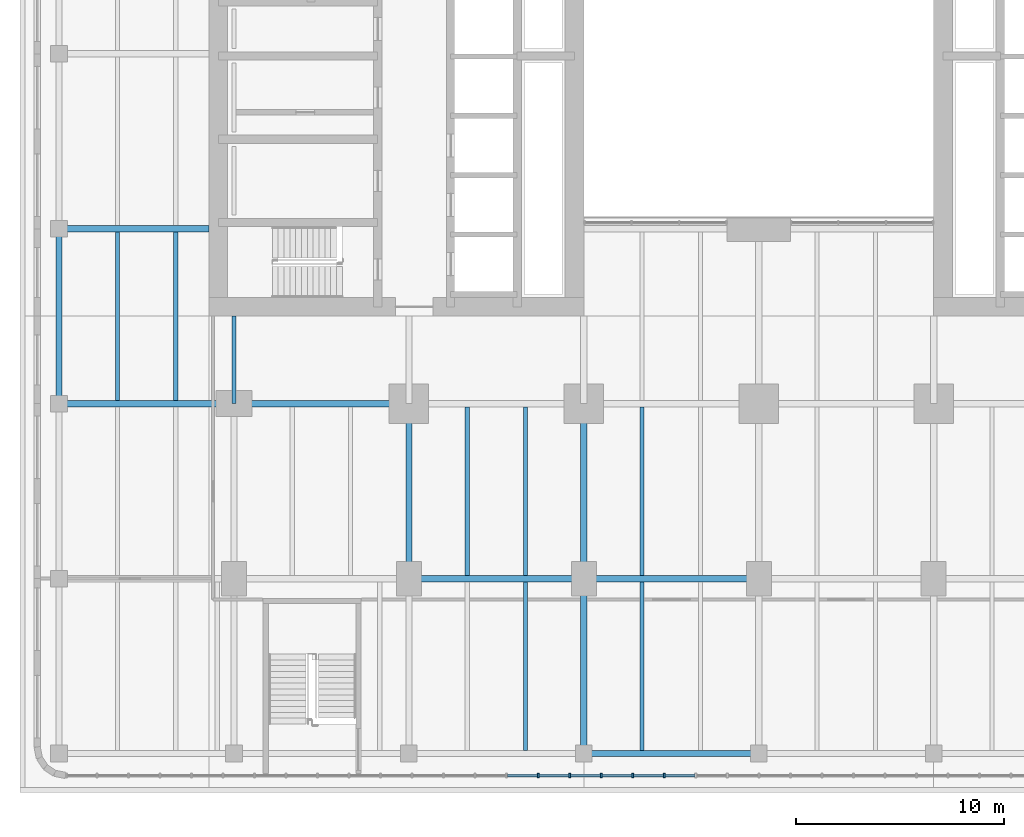
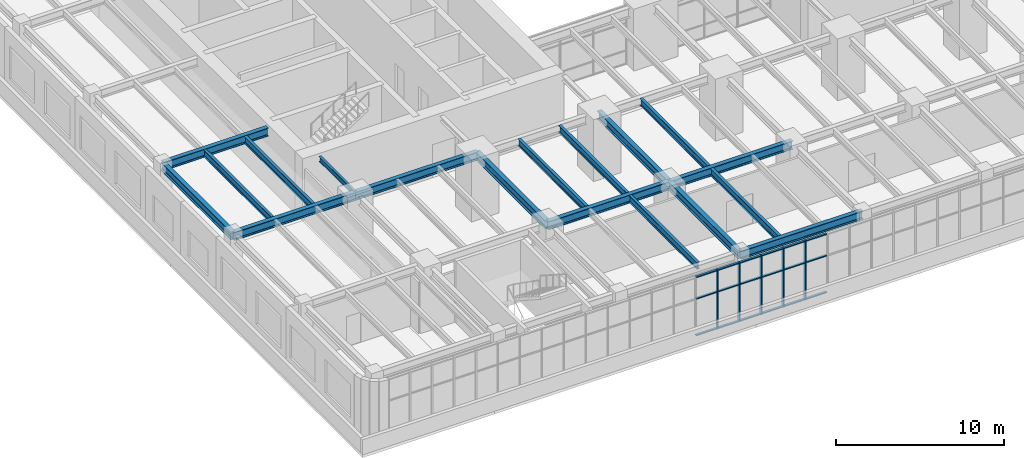
# One storey, part 3 of 30: 23 members, 18 beams, 1 element without a shape of its own.
"""IFC4 building model written with IfcOpenShell, lengths in metres."""

from ifc_helpers import new_model, si_unit, direction, frame, origin, origin_2d, place, context, subcontext, project, spatial, rectangle, i_section, extrude, material, material_profile, profile_set, type_object, element, aggregate, save


model = new_model("IFC4")

# Units and contexts
model_context = context("Model", 3, precision=1e-05, world=origin(), true_north=direction((0.0, 1.0)))
body_context = subcontext(model_context, "Body", "Model", "MODEL_VIEW")
ifc_project = project(units=[si_unit("LENGTHUNIT", "METRE"), si_unit("AREAUNIT", "SQUARE_METRE"), si_unit("VOLUMEUNIT", "CUBIC_METRE"), si_unit("PLANEANGLEUNIT", "RADIAN"), si_unit("MASSUNIT", "GRAM", prefix="KILO")], contexts=[model_context])

# Site, building, storey
site_placement = place(None, origin())
site = spatial("IfcSite", under=ifc_project, at=site_placement, CompositionType="ELEMENT")
building_placement = place(site_placement, origin())
building = spatial("IfcBuilding", under=site, at=building_placement, Name="Claustro Exchange Tower", CompositionType="ELEMENT")
storey_placement = place(building_placement, frame((0.0, 0.0, 5.39990234375)))
storey = spatial("IfcBuildingStorey", under=building, at=storey_placement, Name="L01", CompositionType="ELEMENT", Elevation=5.39990234375)

# Beams
ifc_material_1 = material(Name="Steel S355", Category="steel")
ifc_material_profile_1 = material_profile(ifc_material_1, i_section(OverallWidth=0.300048828125, OverallDepth=0.60009765625, WebThickness=0.015380859375, FlangeThickness=0.030029296875, FilletRadius=0.027099609375, at=origin_2d()), Name="HE 600 B")
ifc_profile_set_1 = profile_set([ifc_material_profile_1], Name="Steel S355")
beam_type_1 = type_object("IfcBeamType", Name="B1 HE 600 B floor girder", PredefinedType="BEAM", material=ifc_profile_set_1)
beam_1_placement = place(storey_placement, frame((-8.39990234375, 8.39990234375, 4.0), z_axis=(0.0, 1.0, 0.0), x_axis=(-1.0, 0.0, 0.0)))
element("IfcBeam", 1, at=beam_1_placement, inside=storey, type_object=beam_type_1, Name="Beam B1 L02", PredefinedType="BEAM", context=body_context, shape_type="SweptSolid", body=[
    extrude(i_section(OverallWidth=0.300048828125, OverallDepth=0.60009765625, WebThickness=0.015380859375, FlangeThickness=0.030029296875, FilletRadius=0.027099609375, at=origin_2d()), origin(), (0.0, 0.0, 1.0), 8.400146484375),
])
for number, where, z_axis, x_axis, name in (
    (2, (8.39990234375, 0.0, 4.0), (0.0, 1.0, 0.0), (-1.0, 0.0, 0.0), "Beam B1 L02"),
    (3, (16.800048828125, -8.39990234375, 4.0), (0.0, 1.0, 0.0), (-1.0, 0.0, 0.0), "Beam B1 L02"),
    (4, (16.800048828125, 0.0, 4.0), (0.0, 1.0, 0.0), (-1.0, 0.0, 0.0), "Beam B1 L02"),
    (5, (16.800048828125, -8.39990234375, 4.0), (1.0, 0.0, 0.0), (0.0, 1.0, 0.0), "Beam B1 L02"),
):
    element("IfcBeam", number, at=place(storey_placement, frame(where, z_axis=z_axis, x_axis=x_axis)), inside=storey, type_object=beam_type_1, Name=name, PredefinedType="BEAM", context=body_context, shape_type="SweptSolid", body=[
        extrude(i_section(OverallWidth=0.300048828125, OverallDepth=0.60009765625, WebThickness=0.015380859375, FlangeThickness=0.030029296875, FilletRadius=0.027099609375, at=origin_2d()), origin(), (0.0, 0.0, 1.0), 8.39990234375),
    ])
beam_2_placement = place(storey_placement, frame((8.39990234375, 0.0, 4.0), z_axis=(1.0, 0.0, 0.0), x_axis=(0.0, 1.0, 0.0)))
element("IfcBeam", 6, at=beam_2_placement, inside=storey, type_object=beam_type_1, Name="Beam B1 L02", PredefinedType="BEAM", context=body_context, shape_type="SweptSolid", body=[
    extrude(i_section(OverallWidth=0.300048828125, OverallDepth=0.60009765625, WebThickness=0.015380859375, FlangeThickness=0.030029296875, FilletRadius=0.027099609375, at=origin_2d()), origin(), (0.0, 0.0, 1.0), 8.400146484375),
])
for number, where, z_axis, x_axis, name in (
    (7, (16.800048828125, 0.0, 4.0), (1.0, 0.0, 0.0), (0.0, 1.0, 0.0), "Beam B1 L02"),
    (8, (-8.39990234375, 8.39990234375, 4.0), (1.0, 0.0, 0.0), (0.0, 1.0, 0.0), "Beam B1 L02"),
    (9, (0.0, 8.39990234375, 4.0), (1.0, 0.0, 0.0), (0.0, 1.0, 0.0), "Beam B1 L02"),
):
    element("IfcBeam", number, at=place(storey_placement, frame(where, z_axis=z_axis, x_axis=x_axis)), inside=storey, type_object=beam_type_1, Name=name, PredefinedType="BEAM", context=body_context, shape_type="SweptSolid", body=[
        extrude(i_section(OverallWidth=0.300048828125, OverallDepth=0.60009765625, WebThickness=0.015380859375, FlangeThickness=0.030029296875, FilletRadius=0.027099609375, at=origin_2d()), origin(), (0.0, 0.0, 1.0), 8.39990234375),
    ])
beam_3_placement = place(storey_placement, frame((-8.39990234375, 16.800048828125, 4.0), z_axis=(1.0, 0.0, 0.0), x_axis=(0.0, 1.0, 0.0)))
element("IfcBeam", 10, at=beam_3_placement, inside=storey, type_object=beam_type_1, Name="Beam B1 L02", PredefinedType="BEAM", context=body_context, shape_type="SweptSolid", body=[
    extrude(i_section(OverallWidth=0.300048828125, OverallDepth=0.60009765625, WebThickness=0.015380859375, FlangeThickness=0.030029296875, FilletRadius=0.027099609375, at=origin_2d()), origin(), (0.0, 0.0, 1.0), 7.199951171875),
])
ifc_material_2 = material(Name="Steel S355", Category="steel")
ifc_material_profile_2 = material_profile(ifc_material_2, i_section(OverallWidth=0.169921875, OverallDepth=0.360107421875, WebThickness=0.008056640625, FlangeThickness=0.0126953125, FilletRadius=0.01806640625, at=origin_2d()), Name="IPE 360")
ifc_profile_set_2 = profile_set([ifc_material_profile_2], Name="Steel S355")
beam_type_2 = type_object("IfcBeamType", Name="B16 IPE 360 short-span beam", PredefinedType="BEAM", material=ifc_profile_set_2)
beam_4_placement = place(storey_placement, frame((0.0, 8.39990234375, 4.1201171875), z_axis=(0.0, 1.0, 0.0), x_axis=(-1.0, 0.0, 0.0)))
element("IfcBeam", 11, at=beam_4_placement, inside=storey, type_object=beam_type_2, Name="Beam B16 L02", PredefinedType="BEAM", context=body_context, shape_type="SweptSolid", body=[
    extrude(i_section(OverallWidth=0.169921875, OverallDepth=0.360107421875, WebThickness=0.008056640625, FlangeThickness=0.0126953125, FilletRadius=0.01806640625, at=origin_2d()), origin(), (0.0, 0.0, 1.0), 4.2001953125),
])
ifc_material_3 = material(Name="Steel S355", Category="steel")
ifc_material_profile_3 = material_profile(ifc_material_3, i_section(OverallWidth=0.199951171875, OverallDepth=0.5, WebThickness=0.01025390625, FlangeThickness=0.01611328125, FilletRadius=0.02099609375, at=origin_2d()), Name="IPE 500")
ifc_profile_set_3 = profile_set([ifc_material_profile_3], Name="Steel S355")
beam_type_3 = type_object("IfcBeamType", Name="B2 IPE 500 secondary beam", PredefinedType="BEAM", material=ifc_profile_set_3)
for number, where, z_axis, x_axis, name in (
    (12, (-5.60009765625, 8.550048828125, 4.050048828125), (0.0, 1.0, 0.0), (-1.0, 0.0, 0.0), "Beam B2 L02"),
    (13, (-2.800048828125, 8.550048828125, 4.050048828125), (0.0, 1.0, 0.0), (-1.0, 0.0, 0.0), "Beam B2 L02"),
):
    element("IfcBeam", number, at=place(storey_placement, frame(where, z_axis=z_axis, x_axis=x_axis)), inside=storey, type_object=beam_type_3, Name=name, PredefinedType="BEAM", context=body_context, shape_type="SweptSolid", body=[
        extrude(i_section(OverallWidth=0.199951171875, OverallDepth=0.5, WebThickness=0.01025390625, FlangeThickness=0.01611328125, FilletRadius=0.02099609375, at=origin_2d()), origin(), (0.0, 0.0, 1.0), 8.099853515625),
    ])
for number, where, z_axis, x_axis, name in (
    (14, (14.0, -8.25, 4.050048828125), (0.0, 1.0, 0.0), (-1.0, 0.0, 0.0), "Beam B2 L02"),
    (15, (11.199951171875, 0.14990234375, 4.050048828125), (0.0, 1.0, 0.0), (-1.0, 0.0, 0.0), "Beam B2 L02"),
    (16, (14.0, 0.14990234375, 4.050048828125), (0.0, 1.0, 0.0), (-1.0, 0.0, 0.0), "Beam B2 L02"),
    (17, (19.60009765625, -8.25, 4.050048828125), (0.0, 1.0, 0.0), (-1.0, 0.0, 0.0), "Beam B2 L02"),
    (18, (19.60009765625, 0.14990234375, 4.050048828125), (0.0, 1.0, 0.0), (-1.0, 0.0, 0.0), "Beam B2 L02"),
):
    element("IfcBeam", number, at=place(storey_placement, frame(where, z_axis=z_axis, x_axis=x_axis)), inside=storey, type_object=beam_type_3, Name=name, PredefinedType="BEAM", context=body_context, shape_type="SweptSolid", body=[
        extrude(i_section(OverallWidth=0.199951171875, OverallDepth=0.5, WebThickness=0.01025390625, FlangeThickness=0.01611328125, FilletRadius=0.02099609375, at=origin_2d()), origin(), (0.0, 0.0, 1.0), 8.10009765625),
    ])

# Curtain wall, members
ifc_material_4 = material(Name="Aluminium frame, clear double glazing", Category="aluminium")
curtain_wall_type = type_object("IfcCurtainWallType", Name="CW1 storefront curtain wall", PredefinedType="USERDEFINED", material=ifc_material_4)
curtain_wall_placement = place(storey_placement, origin())
curtain_wall = element("IfcCurtainWall", 19, at=curtain_wall_placement, inside=storey, type_object=curtain_wall_type, Name="Curtain wall CW1 L01", ObjectType="STICK CURTAIN WALL", PredefinedType="USERDEFINED")
ifc_material_5 = material(Name="Aluminium mullion", Category="aluminium")
ifc_material_profile_4 = material_profile(ifc_material_5, rectangle(XDim=0.199951171875, YDim=0.074951171875, at=origin_2d()), Name="CW1-M 75x200")
ifc_profile_set_4 = profile_set([ifc_material_profile_4], Name="Aluminium mullion")
member_type_1 = type_object("IfcMemberType", Name="CW1-M 75 x 200 mullion", PredefinedType="MULLION", material=ifc_profile_set_4)
member_1_placement = place(storey_placement, frame((14.609375, -9.449951171875, 0.0), z_axis=(0.0, 0.0, 1.0), x_axis=(0.0, 1.0, 0.0)))
member_1 = element("IfcMember", 20, at=member_1_placement, type_object=member_type_1, Name="CW1 mullion 16", PredefinedType="MULLION", context=body_context, shape_type="SweptSolid", body=[
    extrude(rectangle(XDim=0.199951171875, YDim=0.074951171875, at=origin_2d()), origin(), (0.0, 0.0, 1.0), 4.300048828125),
])
member_2_placement = place(storey_placement, frame((16.122314453125, -9.449951171875, 0.0), z_axis=(0.0, 0.0, 1.0), x_axis=(0.0, 1.0, 0.0)))
member_2 = element("IfcMember", 21, at=member_2_placement, type_object=member_type_1, Name="CW1 mullion 17", PredefinedType="MULLION", context=body_context, shape_type="SweptSolid", body=[
    extrude(rectangle(XDim=0.199951171875, YDim=0.074951171875, at=origin_2d()), origin(), (0.0, 0.0, 1.0), 4.300048828125),
])
member_3_placement = place(storey_placement, frame((17.63525390625, -9.449951171875, 0.0), z_axis=(0.0, 0.0, 1.0), x_axis=(0.0, 1.0, 0.0)))
member_3 = element("IfcMember", 22, at=member_3_placement, type_object=member_type_1, Name="CW1 mullion 18", PredefinedType="MULLION", context=body_context, shape_type="SweptSolid", body=[
    extrude(rectangle(XDim=0.199951171875, YDim=0.074951171875, at=origin_2d()), origin(), (0.0, 0.0, 1.0), 4.300048828125),
])
member_4_placement = place(storey_placement, frame((19.148193359375, -9.449951171875, 0.0), z_axis=(0.0, 0.0, 1.0), x_axis=(0.0, 1.0, 0.0)))
member_4 = element("IfcMember", 23, at=member_4_placement, type_object=member_type_1, Name="CW1 mullion 19", PredefinedType="MULLION", context=body_context, shape_type="SweptSolid", body=[
    extrude(rectangle(XDim=0.199951171875, YDim=0.074951171875, at=origin_2d()), origin(), (0.0, 0.0, 1.0), 4.300048828125),
])
member_5_placement = place(storey_placement, frame((20.6611328125, -9.449951171875, 0.0), z_axis=(0.0, 0.0, 1.0), x_axis=(0.0, 1.0, 0.0)))
member_5 = element("IfcMember", 24, at=member_5_placement, type_object=member_type_1, Name="CW1 mullion 20", PredefinedType="MULLION", context=body_context, shape_type="SweptSolid", body=[
    extrude(rectangle(XDim=0.199951171875, YDim=0.074951171875, at=origin_2d()), origin(), (0.0, 0.0, 1.0), 4.300048828125),
])
ifc_material_6 = material(Name="Aluminium transom", Category="aluminium")
ifc_material_profile_5 = material_profile(ifc_material_6, rectangle(XDim=0.14990234375, YDim=0.074951171875, at=origin_2d()), Name="CW1-T 75x150")
ifc_profile_set_5 = profile_set([ifc_material_profile_5], Name="Aluminium transom")
member_type_2 = type_object("IfcMemberType", Name="CW1-T 75 x 150 transom", PredefinedType="USERDEFINED", material=ifc_profile_set_5)
member_6_placement = place(storey_placement, frame((13.1337890625, -9.449951171875, 0.03759765625), z_axis=(1.0, 0.0, 0.0), x_axis=(0.0, 1.0, 0.0)))
member_6 = element("IfcMember", 25, at=member_6_placement, type_object=member_type_2, Name="CW1 transom 15.1", ObjectType="TRANSOM", PredefinedType="USERDEFINED", context=body_context, shape_type="SweptSolid", body=[
    extrude(rectangle(XDim=0.14990234375, YDim=0.074951171875, at=origin_2d()), origin(), (0.0, 0.0, 1.0), 1.43798828125),
])
member_7_placement = place(storey_placement, frame((13.1337890625, -9.449951171875, 2.7001953125), z_axis=(1.0, 0.0, 0.0), x_axis=(0.0, 1.0, 0.0)))
member_7 = element("IfcMember", 26, at=member_7_placement, type_object=member_type_2, Name="CW1 transom 15.2", ObjectType="TRANSOM", PredefinedType="USERDEFINED", context=body_context, shape_type="SweptSolid", body=[
    extrude(rectangle(XDim=0.14990234375, YDim=0.074951171875, at=origin_2d()), origin(), (0.0, 0.0, 1.0), 1.43798828125),
])
member_8_placement = place(storey_placement, frame((13.1337890625, -9.449951171875, 4.2626953125), z_axis=(1.0, 0.0, 0.0), x_axis=(0.0, 1.0, 0.0)))
member_8 = element("IfcMember", 27, at=member_8_placement, type_object=member_type_2, Name="CW1 transom 15.3", ObjectType="TRANSOM", PredefinedType="USERDEFINED", context=body_context, shape_type="SweptSolid", body=[
    extrude(rectangle(XDim=0.14990234375, YDim=0.074951171875, at=origin_2d()), origin(), (0.0, 0.0, 1.0), 1.43798828125),
])
member_9_placement = place(storey_placement, frame((14.646728515625, -9.449951171875, 0.03759765625), z_axis=(1.0, 0.0, 0.0), x_axis=(0.0, 1.0, 0.0)))
member_9 = element("IfcMember", 28, at=member_9_placement, type_object=member_type_2, Name="CW1 transom 16.1", ObjectType="TRANSOM", PredefinedType="USERDEFINED", context=body_context, shape_type="SweptSolid", body=[
    extrude(rectangle(XDim=0.14990234375, YDim=0.074951171875, at=origin_2d()), origin(), (0.0, 0.0, 1.0), 1.43798828125),
])
member_10_placement = place(storey_placement, frame((14.646728515625, -9.449951171875, 2.7001953125), z_axis=(1.0, 0.0, 0.0), x_axis=(0.0, 1.0, 0.0)))
member_10 = element("IfcMember", 29, at=member_10_placement, type_object=member_type_2, Name="CW1 transom 16.2", ObjectType="TRANSOM", PredefinedType="USERDEFINED", context=body_context, shape_type="SweptSolid", body=[
    extrude(rectangle(XDim=0.14990234375, YDim=0.074951171875, at=origin_2d()), origin(), (0.0, 0.0, 1.0), 1.43798828125),
])
member_11_placement = place(storey_placement, frame((14.646728515625, -9.449951171875, 4.2626953125), z_axis=(1.0, 0.0, 0.0), x_axis=(0.0, 1.0, 0.0)))
member_11 = element("IfcMember", 30, at=member_11_placement, type_object=member_type_2, Name="CW1 transom 16.3", ObjectType="TRANSOM", PredefinedType="USERDEFINED", context=body_context, shape_type="SweptSolid", body=[
    extrude(rectangle(XDim=0.14990234375, YDim=0.074951171875, at=origin_2d()), origin(), (0.0, 0.0, 1.0), 1.43798828125),
])
member_12_placement = place(storey_placement, frame((16.15966796875, -9.449951171875, 0.03759765625), z_axis=(1.0, 0.0, 0.0), x_axis=(0.0, 1.0, 0.0)))
member_12 = element("IfcMember", 31, at=member_12_placement, type_object=member_type_2, Name="CW1 transom 17.1", ObjectType="TRANSOM", PredefinedType="USERDEFINED", context=body_context, shape_type="SweptSolid", body=[
    extrude(rectangle(XDim=0.14990234375, YDim=0.074951171875, at=origin_2d()), origin(), (0.0, 0.0, 1.0), 1.43798828125),
])
member_13_placement = place(storey_placement, frame((16.15966796875, -9.449951171875, 2.7001953125), z_axis=(1.0, 0.0, 0.0), x_axis=(0.0, 1.0, 0.0)))
member_13 = element("IfcMember", 32, at=member_13_placement, type_object=member_type_2, Name="CW1 transom 17.2", ObjectType="TRANSOM", PredefinedType="USERDEFINED", context=body_context, shape_type="SweptSolid", body=[
    extrude(rectangle(XDim=0.14990234375, YDim=0.074951171875, at=origin_2d()), origin(), (0.0, 0.0, 1.0), 1.43798828125),
])
member_14_placement = place(storey_placement, frame((16.15966796875, -9.449951171875, 4.2626953125), z_axis=(1.0, 0.0, 0.0), x_axis=(0.0, 1.0, 0.0)))
member_14 = element("IfcMember", 33, at=member_14_placement, type_object=member_type_2, Name="CW1 transom 17.3", ObjectType="TRANSOM", PredefinedType="USERDEFINED", context=body_context, shape_type="SweptSolid", body=[
    extrude(rectangle(XDim=0.14990234375, YDim=0.074951171875, at=origin_2d()), origin(), (0.0, 0.0, 1.0), 1.43798828125),
])
member_15_placement = place(storey_placement, frame((17.672607421875, -9.449951171875, 0.03759765625), z_axis=(1.0, 0.0, 0.0), x_axis=(0.0, 1.0, 0.0)))
member_15 = element("IfcMember", 34, at=member_15_placement, type_object=member_type_2, Name="CW1 transom 18.1", ObjectType="TRANSOM", PredefinedType="USERDEFINED", context=body_context, shape_type="SweptSolid", body=[
    extrude(rectangle(XDim=0.14990234375, YDim=0.074951171875, at=origin_2d()), origin(), (0.0, 0.0, 1.0), 1.43798828125),
])
member_16_placement = place(storey_placement, frame((17.672607421875, -9.449951171875, 2.7001953125), z_axis=(1.0, 0.0, 0.0), x_axis=(0.0, 1.0, 0.0)))
member_16 = element("IfcMember", 35, at=member_16_placement, type_object=member_type_2, Name="CW1 transom 18.2", ObjectType="TRANSOM", PredefinedType="USERDEFINED", context=body_context, shape_type="SweptSolid", body=[
    extrude(rectangle(XDim=0.14990234375, YDim=0.074951171875, at=origin_2d()), origin(), (0.0, 0.0, 1.0), 1.43798828125),
])
member_17_placement = place(storey_placement, frame((17.672607421875, -9.449951171875, 4.2626953125), z_axis=(1.0, 0.0, 0.0), x_axis=(0.0, 1.0, 0.0)))
member_17 = element("IfcMember", 36, at=member_17_placement, type_object=member_type_2, Name="CW1 transom 18.3", ObjectType="TRANSOM", PredefinedType="USERDEFINED", context=body_context, shape_type="SweptSolid", body=[
    extrude(rectangle(XDim=0.14990234375, YDim=0.074951171875, at=origin_2d()), origin(), (0.0, 0.0, 1.0), 1.43798828125),
])
member_18_placement = place(storey_placement, frame((19.185546875, -9.449951171875, 0.03759765625), z_axis=(1.0, 0.0, 0.0), x_axis=(0.0, 1.0, 0.0)))
member_18 = element("IfcMember", 37, at=member_18_placement, type_object=member_type_2, Name="CW1 transom 19.1", ObjectType="TRANSOM", PredefinedType="USERDEFINED", context=body_context, shape_type="SweptSolid", body=[
    extrude(rectangle(XDim=0.14990234375, YDim=0.074951171875, at=origin_2d()), origin(), (0.0, 0.0, 1.0), 1.43798828125),
])
member_19_placement = place(storey_placement, frame((19.185546875, -9.449951171875, 2.7001953125), z_axis=(1.0, 0.0, 0.0), x_axis=(0.0, 1.0, 0.0)))
member_19 = element("IfcMember", 38, at=member_19_placement, type_object=member_type_2, Name="CW1 transom 19.2", ObjectType="TRANSOM", PredefinedType="USERDEFINED", context=body_context, shape_type="SweptSolid", body=[
    extrude(rectangle(XDim=0.14990234375, YDim=0.074951171875, at=origin_2d()), origin(), (0.0, 0.0, 1.0), 1.43798828125),
])
member_20_placement = place(storey_placement, frame((19.185546875, -9.449951171875, 4.2626953125), z_axis=(1.0, 0.0, 0.0), x_axis=(0.0, 1.0, 0.0)))
member_20 = element("IfcMember", 39, at=member_20_placement, type_object=member_type_2, Name="CW1 transom 19.3", ObjectType="TRANSOM", PredefinedType="USERDEFINED", context=body_context, shape_type="SweptSolid", body=[
    extrude(rectangle(XDim=0.14990234375, YDim=0.074951171875, at=origin_2d()), origin(), (0.0, 0.0, 1.0), 1.43798828125),
])
member_21_placement = place(storey_placement, frame((20.69873046875, -9.449951171875, 0.03759765625), z_axis=(1.0, 0.0, 0.0), x_axis=(0.0, 1.0, 0.0)))
member_21 = element("IfcMember", 40, at=member_21_placement, type_object=member_type_2, Name="CW1 transom 20.1", ObjectType="TRANSOM", PredefinedType="USERDEFINED", context=body_context, shape_type="SweptSolid", body=[
    extrude(rectangle(XDim=0.14990234375, YDim=0.074951171875, at=origin_2d()), origin(), (0.0, 0.0, 1.0), 1.437744140625),
])
member_22_placement = place(storey_placement, frame((20.69873046875, -9.449951171875, 2.7001953125), z_axis=(1.0, 0.0, 0.0), x_axis=(0.0, 1.0, 0.0)))
member_22 = element("IfcMember", 41, at=member_22_placement, type_object=member_type_2, Name="CW1 transom 20.2", ObjectType="TRANSOM", PredefinedType="USERDEFINED", context=body_context, shape_type="SweptSolid", body=[
    extrude(rectangle(XDim=0.14990234375, YDim=0.074951171875, at=origin_2d()), origin(), (0.0, 0.0, 1.0), 1.437744140625),
])
member_23_placement = place(storey_placement, frame((20.69873046875, -9.449951171875, 4.2626953125), z_axis=(1.0, 0.0, 0.0), x_axis=(0.0, 1.0, 0.0)))
member_23 = element("IfcMember", 42, at=member_23_placement, type_object=member_type_2, Name="CW1 transom 20.3", ObjectType="TRANSOM", PredefinedType="USERDEFINED", context=body_context, shape_type="SweptSolid", body=[
    extrude(rectangle(XDim=0.14990234375, YDim=0.074951171875, at=origin_2d()), origin(), (0.0, 0.0, 1.0), 1.437744140625),
])
aggregate(curtain_wall, [member_1, member_2, member_3, member_4, member_5, member_6, member_7, member_8, member_9, member_10, member_11, member_12, member_13, member_14, member_15, member_16, member_17, member_18, member_19, member_20, member_21, member_22, member_23])

save(model, "model.ifc")
